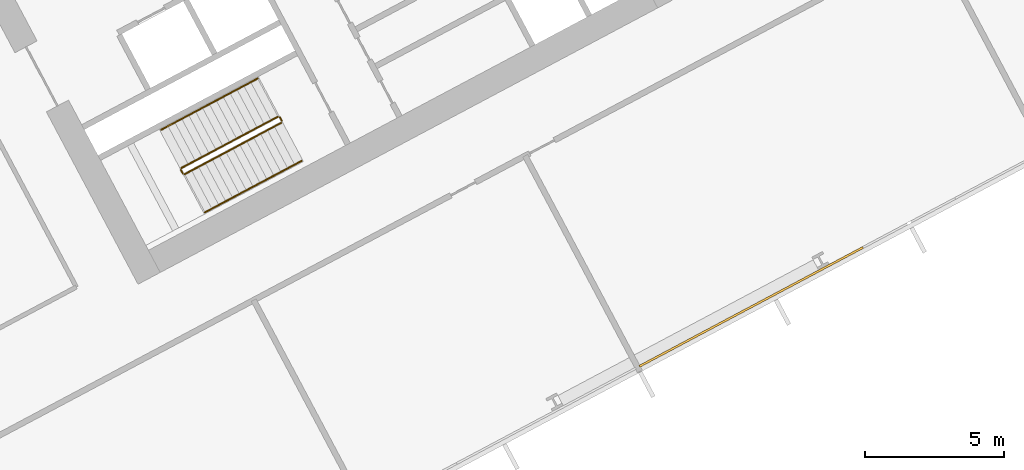
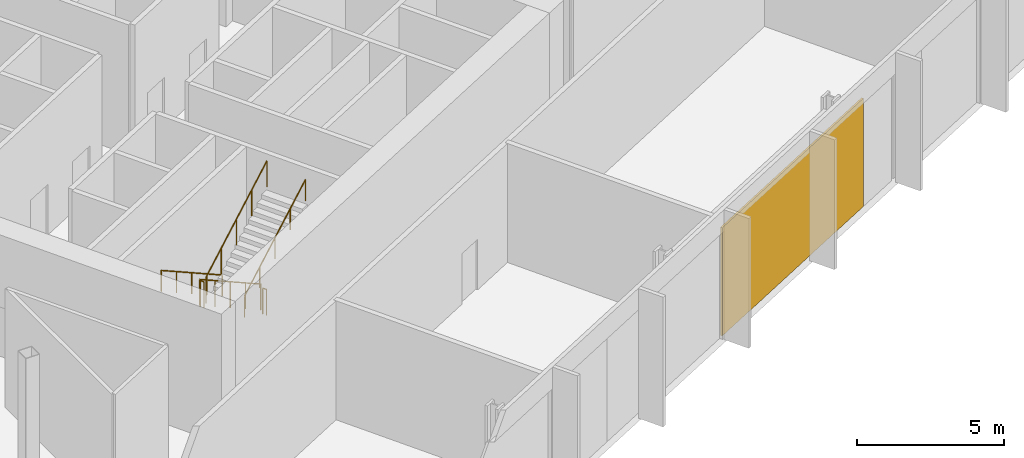
# One storey, part 26 of 30: 6 railings, 1 covering, 1 element without a shape of its own.
"""IFC4 building model written with IfcOpenShell, lengths in metres."""

from ifc_helpers import new_model, si_unit, direction, frame, origin, origin_2d, place, context, subcontext, project, spatial, polyline, rectangle, outline, extrude, material, layer, layer_set, type_object, element, aggregate, save


model = new_model("IFC4")

# Units and contexts
model_context = context("Model", 3, precision=1e-05, world=origin(), true_north=direction((0.0, 1.0)))
body_context = subcontext(model_context, "Body", "Model", "MODEL_VIEW")
ifc_project = project(units=[si_unit("LENGTHUNIT", "METRE"), si_unit("AREAUNIT", "SQUARE_METRE"), si_unit("VOLUMEUNIT", "CUBIC_METRE"), si_unit("PLANEANGLEUNIT", "RADIAN"), si_unit("MASSUNIT", "GRAM", prefix="KILO")], contexts=[model_context])

# Site, building, storey
site_placement = place(None, origin())
site = spatial("IfcSite", under=ifc_project, at=site_placement, CompositionType="ELEMENT")
building_placement = place(site_placement, origin())
building = spatial("IfcBuilding", under=site, at=building_placement, Name="Cormorant Relay Tower", CompositionType="ELEMENT")
storey_placement = place(building_placement, frame((0.0, 0.0, 44.60009765625)))
storey = spatial("IfcBuildingStorey", under=building, at=storey_placement, Name="L08", CompositionType="ELEMENT", Elevation=44.60009765625)

# Curtain wall, covering
ifc_material_1 = material(Name="Aluminium 6063-T6 anodised bronze", Category="aluminium")
ifc_layer_1 = layer(ifc_material_1, 0.235107421875)
ifc_layer_set_1 = layer_set([ifc_layer_1], Name="CW6 data hall curtain wall with mineral wool panels")
curtain_wall_type = type_object("IfcCurtainWallType", Name="CW6 data hall curtain wall with mineral wool panels", PredefinedType="NOTDEFINED", material=ifc_layer_set_1)
curtain_wall_placement = place(storey_placement, origin())
curtain_wall = element("IfcCurtainWall", 1, at=curtain_wall_placement, inside=storey, type_object=curtain_wall_type, Name="CW6 curtain wall 2", PredefinedType="NOTDEFINED")
ifc_material_2 = material(Name="Mineral wool cored anodised bronze aluminium cassette panel", Category="aluminium")
ifc_layer_2 = layer(ifc_material_2, 0.074951171875)
ifc_layer_set_2 = layer_set([ifc_layer_2], Name="CW6 mineral wool cassette panel 75")
covering_type = type_object("IfcCoveringType", Name="CW6 mineral wool cassette panel 75", PredefinedType="CLADDING", material=ifc_layer_set_2)
covering_placement = place(storey_placement, frame((40.80517578125, -2.1298828125, 0.0), z_axis=(0.0, 0.0, 1.0), x_axis=(0.882947592859, 0.469471562786, 0.0)))
covering = element("IfcCovering", 2, at=covering_placement, type_object=covering_type, Name="CW6 panel S07", PredefinedType="CLADDING", context=body_context, shape_type="SweptSolid", body=[
    extrude(rectangle(XDim=9.07373046875, YDim=0.074951171875, at=origin_2d()), origin(), (0.0, 0.0, 1.0), 4.5),
])
aggregate(curtain_wall, [covering])

# Railings
ifc_material_3 = material(Name="Steel ASTM A572 Grade 50 (Fy 345 MPa)", Category="steel")
railing_type_1 = type_object("IfcRailingType", Name="Stair guard 1100", PredefinedType="GUARDRAIL", material=ifc_material_3)
railing_1_placement = place(storey_placement, frame((23.83837890625, 4.6904296875, 0.179931640625)))
element("IfcRailing", 3, at=railing_1_placement, inside=storey, type_object=railing_type_1, Name="L08 B1 stair guard 1", PredefinedType="GUARDRAIL", context=body_context, shape_type="SweptSolid", body=[
    extrude(outline(polyline([(0.022216796875, 0.00927734375), (0.00927734375, 0.022216796875), (-0.00927734375, 0.022216796875), (-0.022216796875, 0.00927734375), (-0.022216796875, -0.00927734375), (-0.00927734375, -0.022216796875), (0.00927734375, -0.022216796875), (0.022216796875, -0.00927734375), (0.022216796875, 0.00927734375)])), frame((0.0, 0.0, 1.076171875), z_axis=(-0.74271721126, -0.394907409077, 0.540758062681), x_axis=(0.469469396681, -0.882948744594, 0.0)), (0.0, 0.0, 1.0), 4.66015625),
    extrude(outline(polyline([(0.019287109375, 0.008056640625), (0.008056640625, 0.019287109375), (-0.008056640625, 0.019287109375), (-0.019287109375, 0.008056640625), (-0.019287109375, -0.008056640625), (-0.008056640625, -0.019287109375), (0.008056640625, -0.019287109375), (0.019287109375, -0.008056640625), (0.019287109375, 0.008056640625)])), origin(), (0.0, 0.0, 1.0), 1.052001953125),
    extrude(outline(polyline([(0.019287109375, 0.008056640625), (0.008056640625, 0.019287109375), (-0.008056640625, 0.019287109375), (-0.019287109375, 0.008056640625), (-0.019287109375, -0.008056640625), (-0.008056640625, -0.019287109375), (0.008056640625, -0.019287109375), (0.019287109375, -0.008056640625), (0.019287109375, 0.008056640625)])), frame((-0.865234375, -0.4599609375, 0.6298828125)), (0.0, 0.0, 1.0), 1.052001953125),
    extrude(outline(polyline([(0.019287109375, 0.008056640625), (0.008056640625, 0.019287109375), (-0.008056640625, 0.019287109375), (-0.019287109375, 0.008056640625), (-0.019287109375, -0.008056640625), (-0.008056640625, -0.019287109375), (0.008056640625, -0.019287109375), (0.019287109375, -0.008056640625), (0.019287109375, 0.008056640625)])), frame((-1.73046875, -0.920166015625, 1.260009765625)), (0.0, 0.0, 1.0), 1.052001953125),
    extrude(outline(polyline([(0.019287109375, 0.008056640625), (0.008056640625, 0.019287109375), (-0.008056640625, 0.019287109375), (-0.019287109375, 0.008056640625), (-0.019287109375, -0.008056640625), (-0.008056640625, -0.019287109375), (0.008056640625, -0.019287109375), (0.019287109375, -0.008056640625), (0.019287109375, 0.008056640625)])), frame((-2.595947265625, -1.38037109375, 1.89013671875)), (0.0, 0.0, 1.0), 1.052001953125),
    extrude(outline(polyline([(0.019287109375, 0.008056640625), (0.008056640625, 0.019287109375), (-0.008056640625, 0.019287109375), (-0.019287109375, 0.008056640625), (-0.019287109375, -0.008056640625), (-0.008056640625, -0.019287109375), (0.008056640625, -0.019287109375), (0.019287109375, -0.008056640625), (0.019287109375, 0.008056640625)])), frame((-3.461181640625, -1.84033203125, 2.52001953125)), (0.0, 0.0, 1.0), 1.052001953125),
])
railing_2_placement = place(storey_placement, frame((20.3564453125, 2.782470703125, 2.699951171875)))
element("IfcRailing", 4, at=railing_2_placement, inside=storey, type_object=railing_type_1, Name="L08 B1 stair guard 2", PredefinedType="GUARDRAIL", context=body_context, shape_type="SweptSolid", body=[
    extrude(outline(polyline([(0.022216796875, 0.00927734375), (0.00927734375, 0.022216796875), (-0.00927734375, 0.022216796875), (-0.022216796875, 0.00927734375), (-0.022216796875, -0.00927734375), (-0.00927734375, -0.022216796875), (0.00927734375, -0.022216796875), (0.022216796875, -0.00927734375), (0.022216796875, 0.00927734375)])), frame((0.0, 0.0, 1.076171875), z_axis=(0.470503732759, -0.882398003998, 0.0), x_axis=(0.882398003998, 0.470503732759, 0.0)), (0.0, 0.0, 1.0), 0.14990234375),
    extrude(outline(polyline([(0.019287109375, 0.008056640625), (0.008056640625, 0.019287109375), (-0.008056640625, 0.019287109375), (-0.019287109375, 0.008056640625), (-0.019287109375, -0.008056640625), (-0.008056640625, -0.019287109375), (0.008056640625, -0.019287109375), (0.019287109375, -0.008056640625), (0.019287109375, 0.008056640625)])), origin(), (0.0, 0.0, 1.0), 1.052001953125),
    extrude(outline(polyline([(0.019287109375, 0.008056640625), (0.008056640625, 0.019287109375), (-0.008056640625, 0.019287109375), (-0.019287109375, 0.008056640625), (-0.019287109375, -0.008056640625), (-0.008056640625, -0.019287109375), (0.008056640625, -0.019287109375), (0.019287109375, -0.008056640625), (0.019287109375, 0.008056640625)])), frame((0.070556640625, -0.13232421875, 0.0)), (0.0, 0.0, 1.0), 1.052001953125),
])
railing_3_placement = place(storey_placement, frame((20.49462890625, 2.62939453125, 2.8798828125)))
element("IfcRailing", 5, at=railing_3_placement, inside=storey, type_object=railing_type_1, Name="L08 B1 stair guard 3", PredefinedType="GUARDRAIL", context=body_context, shape_type="SweptSolid", body=[
    extrude(outline(polyline([(0.022216796875, 0.00927734375), (0.00927734375, 0.022216796875), (-0.00927734375, 0.022216796875), (-0.022216796875, 0.00927734375), (-0.022216796875, -0.00927734375), (-0.00927734375, -0.022216796875), (0.00927734375, -0.022216796875), (0.022216796875, -0.00927734375), (0.022216796875, 0.00927734375)])), frame((0.0, 0.0, 1.076171875), z_axis=(0.742693720225, 0.394922775329, 0.540779104131), x_axis=(-0.469495214196, 0.882935016775, 0.0)), (0.0, 0.0, 1.0), 4.659912109375),
    extrude(outline(polyline([(0.019287109375, 0.008056640625), (0.008056640625, 0.019287109375), (-0.008056640625, 0.019287109375), (-0.019287109375, 0.008056640625), (-0.019287109375, -0.008056640625), (-0.008056640625, -0.019287109375), (0.008056640625, -0.019287109375), (0.019287109375, -0.008056640625), (0.019287109375, 0.008056640625)])), origin(), (0.0, 0.0, 1.0), 1.052001953125),
    extrude(outline(polyline([(0.019287109375, 0.008056640625), (0.008056640625, 0.019287109375), (-0.008056640625, 0.019287109375), (-0.019287109375, 0.008056640625), (-0.019287109375, -0.008056640625), (-0.008056640625, -0.019287109375), (0.008056640625, -0.019287109375), (0.019287109375, -0.008056640625), (0.019287109375, 0.008056640625)])), frame((0.865234375, 0.4599609375, 0.6298828125)), (0.0, 0.0, 1.0), 1.052001953125),
    extrude(outline(polyline([(0.019287109375, 0.008056640625), (0.008056640625, 0.019287109375), (-0.008056640625, 0.019287109375), (-0.019287109375, 0.008056640625), (-0.019287109375, -0.008056640625), (-0.008056640625, -0.019287109375), (0.008056640625, -0.019287109375), (0.019287109375, -0.008056640625), (0.019287109375, 0.008056640625)])), frame((1.73046875, 0.920166015625, 1.260009765625)), (0.0, 0.0, 1.0), 1.052001953125),
    extrude(outline(polyline([(0.019287109375, 0.008056640625), (0.008056640625, 0.019287109375), (-0.008056640625, 0.019287109375), (-0.019287109375, 0.008056640625), (-0.019287109375, -0.008056640625), (-0.008056640625, -0.019287109375), (0.008056640625, -0.019287109375), (0.019287109375, -0.008056640625), (0.019287109375, 0.008056640625)])), frame((2.595703125, 1.38037109375, 1.89013671875)), (0.0, 0.0, 1.0), 1.052001953125),
    extrude(outline(polyline([(0.019287109375, 0.008056640625), (0.008056640625, 0.019287109375), (-0.008056640625, 0.019287109375), (-0.019287109375, 0.008056640625), (-0.019287109375, -0.008056640625), (-0.008056640625, -0.019287109375), (0.008056640625, -0.019287109375), (0.019287109375, -0.008056640625), (0.019287109375, 0.008056640625)])), frame((3.4609375, 1.84033203125, 2.52001953125)), (0.0, 0.0, 1.0), 1.052001953125),
])
railing_4_placement = place(storey_placement, frame((23.906005859375, 4.669677734375, 0.0)))
element("IfcRailing", 6, at=railing_4_placement, inside=storey, type_object=railing_type_1, Name="L08 B1 stair guard 4", PredefinedType="GUARDRAIL", context=body_context, shape_type="SweptSolid", body=[
    extrude(outline(polyline([(0.022216796875, 0.00927734375), (0.00927734375, 0.022216796875), (-0.00927734375, 0.022216796875), (-0.022216796875, 0.00927734375), (-0.022216796875, -0.00927734375), (-0.00927734375, -0.022216796875), (0.00927734375, -0.022216796875), (0.022216796875, -0.00927734375), (0.022216796875, 0.00927734375)])), frame((0.0, 0.0, 1.076171875), z_axis=(0.469234640946, -0.883073525669, 0.0), x_axis=(0.883073525669, 0.469234640946, 0.0)), (0.0, 0.0, 1.0), 0.14990234375),
    extrude(outline(polyline([(0.019287109375, 0.008056640625), (0.008056640625, 0.019287109375), (-0.008056640625, 0.019287109375), (-0.019287109375, 0.008056640625), (-0.019287109375, -0.008056640625), (-0.008056640625, -0.019287109375), (0.008056640625, -0.019287109375), (0.019287109375, -0.008056640625), (0.019287109375, 0.008056640625)])), origin(), (0.0, 0.0, 1.0), 1.052001953125),
    extrude(outline(polyline([(0.019287109375, 0.008056640625), (0.008056640625, 0.019287109375), (-0.008056640625, 0.019287109375), (-0.019287109375, 0.008056640625), (-0.019287109375, -0.008056640625), (-0.008056640625, -0.019287109375), (0.008056640625, -0.019287109375), (0.019287109375, -0.008056640625), (0.019287109375, 0.008056640625)])), frame((0.0703125, -0.13232421875, 0.0)), (0.0, 0.0, 1.0), 1.052001953125),
])
ifc_material_4 = material(Name="Steel ASTM A572 Grade 50 (Fy 345 MPa)", Category="steel")
railing_type_2 = type_object("IfcRailingType", Name="Stair handrail 900", PredefinedType="HANDRAIL", material=ifc_material_4)
railing_5_placement = place(storey_placement, frame((23.110595703125, 6.05908203125, 0.179931640625)))
element("IfcRailing", 7, at=railing_5_placement, inside=storey, type_object=railing_type_2, Name="L08 B1 stair handrail 1", PredefinedType="HANDRAIL", context=body_context, shape_type="SweptSolid", body=[
    extrude(outline(polyline([(0.022216796875, 0.00927734375), (0.00927734375, 0.022216796875), (-0.00927734375, 0.022216796875), (-0.022216796875, 0.00927734375), (-0.022216796875, -0.00927734375), (-0.00927734375, -0.022216796875), (0.00927734375, -0.022216796875), (0.022216796875, -0.00927734375), (0.022216796875, 0.00927734375)])), frame((0.0, 0.0, 0.8759765625), z_axis=(-0.74271721126, -0.394907409077, 0.540758062681), x_axis=(0.469469396681, -0.882948744594, 0.0)), (0.0, 0.0, 1.0), 4.66015625),
    extrude(outline(polyline([(0.019287109375, 0.008056640625), (0.008056640625, 0.019287109375), (-0.008056640625, 0.019287109375), (-0.019287109375, 0.008056640625), (-0.019287109375, -0.008056640625), (-0.008056640625, -0.019287109375), (0.008056640625, -0.019287109375), (0.019287109375, -0.008056640625), (0.019287109375, 0.008056640625)])), origin(), (0.0, 0.0, 1.0), 0.851806640625),
    extrude(outline(polyline([(0.019287109375, 0.008056640625), (0.008056640625, 0.019287109375), (-0.008056640625, 0.019287109375), (-0.019287109375, 0.008056640625), (-0.019287109375, -0.008056640625), (-0.008056640625, -0.019287109375), (0.008056640625, -0.019287109375), (0.019287109375, -0.008056640625), (0.019287109375, 0.008056640625)])), frame((-0.865234375, -0.4599609375, 0.6298828125)), (0.0, 0.0, 1.0), 0.851806640625),
    extrude(outline(polyline([(0.019287109375, 0.008056640625), (0.008056640625, 0.019287109375), (-0.008056640625, 0.019287109375), (-0.019287109375, 0.008056640625), (-0.019287109375, -0.008056640625), (-0.008056640625, -0.019287109375), (0.008056640625, -0.019287109375), (0.019287109375, -0.008056640625), (0.019287109375, 0.008056640625)])), frame((-1.73046875, -0.920166015625, 1.260009765625)), (0.0, 0.0, 1.0), 0.851806640625),
    extrude(outline(polyline([(0.019287109375, 0.008056640625), (0.008056640625, 0.019287109375), (-0.008056640625, 0.019287109375), (-0.019287109375, 0.008056640625), (-0.019287109375, -0.008056640625), (-0.008056640625, -0.019287109375), (0.008056640625, -0.019287109375), (0.019287109375, -0.008056640625), (0.019287109375, 0.008056640625)])), frame((-2.595947265625, -1.38037109375, 1.89013671875)), (0.0, 0.0, 1.0), 0.851806640625),
    extrude(outline(polyline([(0.019287109375, 0.008056640625), (0.008056640625, 0.019287109375), (-0.008056640625, 0.019287109375), (-0.019287109375, 0.008056640625), (-0.019287109375, -0.008056640625), (-0.008056640625, -0.019287109375), (0.008056640625, -0.019287109375), (0.019287109375, -0.008056640625), (0.019287109375, 0.008056640625)])), frame((-3.461181640625, -1.84033203125, 2.52001953125)), (0.0, 0.0, 1.0), 0.851806640625),
])
railing_6_placement = place(storey_placement, frame((21.22216796875, 1.2607421875, 2.8798828125)))
element("IfcRailing", 8, at=railing_6_placement, inside=storey, type_object=railing_type_2, Name="L08 B1 stair handrail 2", PredefinedType="HANDRAIL", context=body_context, shape_type="SweptSolid", body=[
    extrude(outline(polyline([(0.022216796875, 0.00927734375), (0.00927734375, 0.022216796875), (-0.00927734375, 0.022216796875), (-0.022216796875, 0.00927734375), (-0.022216796875, -0.00927734375), (-0.00927734375, -0.022216796875), (0.00927734375, -0.022216796875), (0.022216796875, -0.00927734375), (0.022216796875, 0.00927734375)])), frame((0.0, 0.0, 0.8759765625), z_axis=(0.74271721126, 0.394907409077, 0.540758062681), x_axis=(-0.469469396681, 0.882948744594, 0.0)), (0.0, 0.0, 1.0), 4.66015625),
    extrude(outline(polyline([(0.019287109375, 0.008056640625), (0.008056640625, 0.019287109375), (-0.008056640625, 0.019287109375), (-0.019287109375, 0.008056640625), (-0.019287109375, -0.008056640625), (-0.008056640625, -0.019287109375), (0.008056640625, -0.019287109375), (0.019287109375, -0.008056640625), (0.019287109375, 0.008056640625)])), origin(), (0.0, 0.0, 1.0), 0.851806640625),
    extrude(outline(polyline([(0.019287109375, 0.008056640625), (0.008056640625, 0.019287109375), (-0.008056640625, 0.019287109375), (-0.019287109375, 0.008056640625), (-0.019287109375, -0.008056640625), (-0.008056640625, -0.019287109375), (0.008056640625, -0.019287109375), (0.019287109375, -0.008056640625), (0.019287109375, 0.008056640625)])), frame((0.865234375, 0.4599609375, 0.6298828125)), (0.0, 0.0, 1.0), 0.851806640625),
    extrude(outline(polyline([(0.019287109375, 0.008056640625), (0.008056640625, 0.019287109375), (-0.008056640625, 0.019287109375), (-0.019287109375, 0.008056640625), (-0.019287109375, -0.008056640625), (-0.008056640625, -0.019287109375), (0.008056640625, -0.019287109375), (0.019287109375, -0.008056640625), (0.019287109375, 0.008056640625)])), frame((1.73046875, 0.920166015625, 1.260009765625)), (0.0, 0.0, 1.0), 0.851806640625),
    extrude(outline(polyline([(0.019287109375, 0.008056640625), (0.008056640625, 0.019287109375), (-0.008056640625, 0.019287109375), (-0.019287109375, 0.008056640625), (-0.019287109375, -0.008056640625), (-0.008056640625, -0.019287109375), (0.008056640625, -0.019287109375), (0.019287109375, -0.008056640625), (0.019287109375, 0.008056640625)])), frame((2.595947265625, 1.38037109375, 1.89013671875)), (0.0, 0.0, 1.0), 0.851806640625),
    extrude(outline(polyline([(0.019287109375, 0.008056640625), (0.008056640625, 0.019287109375), (-0.008056640625, 0.019287109375), (-0.019287109375, 0.008056640625), (-0.019287109375, -0.008056640625), (-0.008056640625, -0.019287109375), (0.008056640625, -0.019287109375), (0.019287109375, -0.008056640625), (0.019287109375, 0.008056640625)])), frame((3.461181640625, 1.84033203125, 2.52001953125)), (0.0, 0.0, 1.0), 0.851806640625),
])

save(model, "model.ifc")
